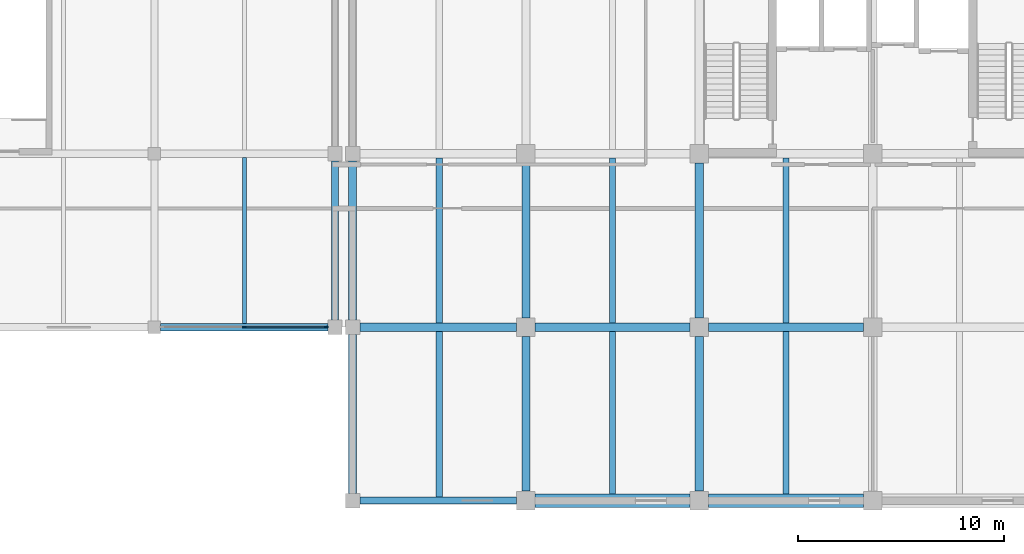
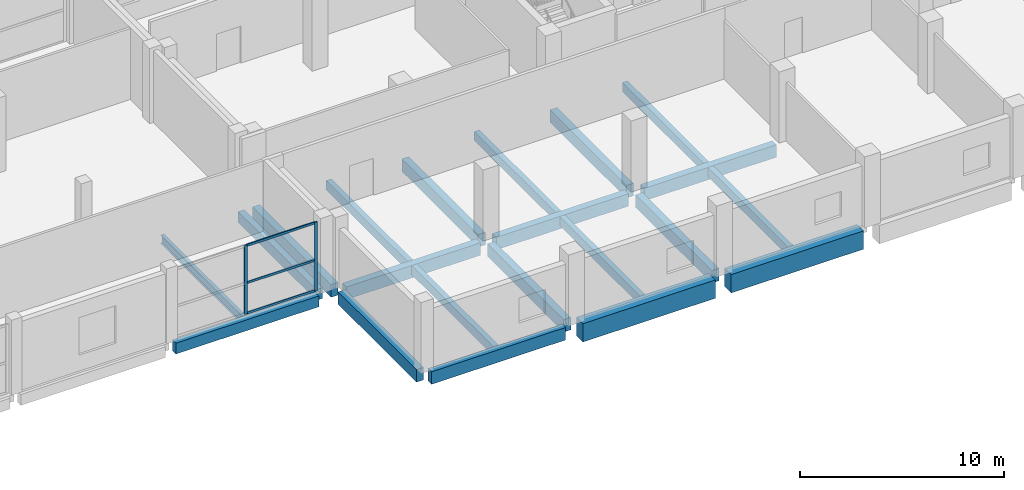
# One storey, part 9 of 18: 21 beams, 5 members, 1 element without a shape of its own.
"""IFC4 building model written with IfcOpenShell, lengths in metres."""

from ifc_helpers import new_model, si_unit, direction, frame, origin, origin_2d, place, context, subcontext, project, spatial, rectangle, i_section, extrude, material, material_profile, profile_set, type_object, element, aggregate, save


model = new_model("IFC4")

# Units and contexts
model_context = context("Model", 3, precision=1e-05, world=origin(), true_north=direction((0.0, 1.0)))
body_context = subcontext(model_context, "Body", "Model", "MODEL_VIEW")
ifc_project = project(units=[si_unit("LENGTHUNIT", "METRE"), si_unit("AREAUNIT", "SQUARE_METRE"), si_unit("VOLUMEUNIT", "CUBIC_METRE"), si_unit("PLANEANGLEUNIT", "RADIAN"), si_unit("MASSUNIT", "GRAM", prefix="KILO")], contexts=[model_context])

# Site, building, storey
site_placement = place(None, origin())
site = spatial("IfcSite", under=ifc_project, at=site_placement, CompositionType="ELEMENT")
building_placement = place(site_placement, origin())
building = spatial("IfcBuilding", under=site, at=building_placement, Name="Brinegate Botanical Conservatory", CompositionType="ELEMENT")
storey_placement = place(building_placement, frame((0.0, 0.0, 14.699951171875)))
storey = spatial("IfcBuildingStorey", under=building, at=storey_placement, Name="L04", CompositionType="ELEMENT", Elevation=14.699951171875)

# Beams
ifc_material_1 = material(Name="Concrete C50/60", Category="concrete")
ifc_material_profile_1 = material_profile(ifc_material_1, rectangle(XDim=0.39990234375, YDim=0.75, at=origin_2d()), Name="RC BM 400x750")
ifc_profile_set_1 = profile_set([ifc_material_profile_1], Name="Concrete C50/60")
beam_type_1 = type_object("IfcBeamType", Name="Beam_BM-T1", PredefinedType="BEAM", material=ifc_profile_set_1)
beam_1_placement = place(storey_placement, frame((122.35009765625, 86.800048828125, -0.614990234375), z_axis=(1.0, 0.0, 0.0), x_axis=(0.0, 1.0, 0.0)))
element("IfcBeam", 1, at=beam_1_placement, inside=storey, type_object=beam_type_1, Name="Beam BM-T1 L04 L:16-17", PredefinedType="BEAM", context=body_context, shape_type="SweptSolid", body=[
    extrude(rectangle(XDim=0.39990234375, YDim=0.75, at=origin_2d()), origin(), (0.0, 0.0, 1.0), 7.599853515625),
])
for number, where, z_axis, x_axis, name in (
    (2, (130.85009765625, 86.800048828125, -0.614990234375), (1.0, 0.0, 0.0), (0.0, 1.0, 0.0), "Beam BM-T1 L04 L:17-18"),
    (3, (139.25, 86.800048828125, -0.614990234375), (1.0, 0.0, 0.0), (0.0, 1.0, 0.0), "Beam BM-T1 L04 L:18-19"),
):
    element("IfcBeam", number, at=place(storey_placement, frame(where, z_axis=z_axis, x_axis=x_axis)), inside=storey, type_object=beam_type_1, Name=name, PredefinedType="BEAM", context=body_context, shape_type="SweptSolid", body=[
        extrude(rectangle(XDim=0.39990234375, YDim=0.75, at=origin_2d()), origin(), (0.0, 0.0, 1.0), 7.5),
    ])
beam_2_placement = place(storey_placement, frame((122.0, 78.75, -0.614990234375), z_axis=(0.0, 1.0, 0.0), x_axis=(-1.0, 0.0, 0.0)))
element("IfcBeam", 4, at=beam_2_placement, inside=storey, type_object=beam_type_1, Name="Beam BM-T1 L04 16:K-L", PredefinedType="BEAM", context=body_context, shape_type="SweptSolid", body=[
    extrude(rectangle(XDim=0.39990234375, YDim=0.75, at=origin_2d()), origin(), (0.0, 0.0, 1.0), 7.699951171875),
])
beam_3_placement = place(storey_placement, frame((122.0, 87.14990234375, -0.614990234375), z_axis=(0.0, 1.0, 0.0), x_axis=(-1.0, 0.0, 0.0)))
element("IfcBeam", 5, at=beam_3_placement, inside=storey, type_object=beam_type_1, Name="Beam BM-T1 L04 16:L-M", PredefinedType="BEAM", context=body_context, shape_type="SweptSolid", body=[
    extrude(rectangle(XDim=0.39990234375, YDim=0.75, at=origin_2d()), origin(), (0.0, 0.0, 1.0), 7.7001953125),
])
for number, where, z_axis, x_axis, name in (
    (6, (130.39990234375, 78.85009765625, -0.614990234375), (0.0, 1.0, 0.0), (-1.0, 0.0, 0.0), "Beam BM-T1 L04 17:K-L"),
    (7, (130.39990234375, 87.25, -0.614990234375), (0.0, 1.0, 0.0), (-1.0, 0.0, 0.0), "Beam BM-T1 L04 17:L-M"),
    (8, (138.800048828125, 78.85009765625, -0.614990234375), (0.0, 1.0, 0.0), (-1.0, 0.0, 0.0), "Beam BM-T1 L04 18:K-L"),
    (9, (138.800048828125, 87.25, -0.614990234375), (0.0, 1.0, 0.0), (-1.0, 0.0, 0.0), "Beam BM-T1 L04 18:L-M"),
):
    element("IfcBeam", number, at=place(storey_placement, frame(where, z_axis=z_axis, x_axis=x_axis)), inside=storey, type_object=beam_type_1, Name=name, PredefinedType="BEAM", context=body_context, shape_type="SweptSolid", body=[
        extrude(rectangle(XDim=0.39990234375, YDim=0.75, at=origin_2d()), origin(), (0.0, 0.0, 1.0), 7.5),
    ])
ifc_material_2 = material(Name="Concrete C40/50", Category="concrete")
ifc_material_profile_2 = material_profile(ifc_material_2, rectangle(XDim=0.35009765625, YDim=0.64990234375, at=origin_2d()), Name="RC BM 350x650")
ifc_profile_set_2 = profile_set([ifc_material_profile_2], Name="Concrete C40/50")
beam_type_2 = type_object("IfcBeamType", Name="Beam_BM-V3", PredefinedType="BEAM", material=ifc_profile_set_2)
beam_4_placement = place(storey_placement, frame((112.699951171875, 86.800048828125, -0.56494140625), z_axis=(1.0, 0.0, 0.0), x_axis=(0.0, 1.0, 0.0)))
element("IfcBeam", 10, at=beam_4_placement, inside=storey, type_object=beam_type_2, Name="Beam BM-V3 L04 L:14-15", PredefinedType="BEAM", context=body_context, shape_type="SweptSolid", body=[
    extrude(rectangle(XDim=0.35009765625, YDim=0.64990234375, at=origin_2d()), origin(), (0.0, 0.0, 1.0), 8.10009765625),
])
beam_5_placement = place(storey_placement, frame((121.14990234375, 87.14990234375, -0.56494140625), z_axis=(0.0, 1.0, 0.0), x_axis=(-1.0, 0.0, 0.0)))
element("IfcBeam", 11, at=beam_5_placement, inside=storey, type_object=beam_type_2, Name="Beam BM-V3 L04 15:L-M", PredefinedType="BEAM", context=body_context, shape_type="SweptSolid", body=[
    extrude(rectangle(XDim=0.35009765625, YDim=0.64990234375, at=origin_2d()), origin(), (0.0, 0.0, 1.0), 7.7001953125),
])
ifc_material_profile_3 = material_profile(ifc_material_2, rectangle(XDim=0.300048828125, YDim=0.550048828125, at=origin_2d()), Name="RC JST 300x550")
ifc_profile_set_3 = profile_set([ifc_material_profile_3], Name="Concrete C40/50")
beam_type_3 = type_object("IfcBeamType", Name="Beam_JS-C1", PredefinedType="JOIST", material=ifc_profile_set_3)
beam_6_placement = place(storey_placement, frame((126.199951171875, 78.574951171875, -0.514892578125), z_axis=(0.0, 1.0, 0.0), x_axis=(-1.0, 0.0, 0.0)))
element("IfcBeam", 12, at=beam_6_placement, inside=storey, type_object=beam_type_3, Name="Floor joist JS-C1 L04 bay 16.10", PredefinedType="JOIST", context=body_context, shape_type="SweptSolid", body=[
    extrude(rectangle(XDim=0.300048828125, YDim=0.550048828125, at=origin_2d()), origin(), (0.0, 0.0, 1.0), 8.025146484375),
])
beam_7_placement = place(storey_placement, frame((126.199951171875, 87.0, -0.514892578125), z_axis=(0.0, 1.0, 0.0), x_axis=(-1.0, 0.0, 0.0)))
element("IfcBeam", 13, at=beam_7_placement, inside=storey, type_object=beam_type_3, Name="Floor joist JS-C1 L04 bay 16.11", PredefinedType="JOIST", context=body_context, shape_type="SweptSolid", body=[
    extrude(rectangle(XDim=0.300048828125, YDim=0.550048828125, at=origin_2d()), origin(), (0.0, 0.0, 1.0), 8.0),
])
beam_8_placement = place(storey_placement, frame((134.60009765625, 78.72509765625, -0.514892578125), z_axis=(0.0, 1.0, 0.0), x_axis=(-1.0, 0.0, 0.0)))
element("IfcBeam", 14, at=beam_8_placement, inside=storey, type_object=beam_type_3, Name="Floor joist JS-C1 L04 bay 17.10", PredefinedType="JOIST", context=body_context, shape_type="SweptSolid", body=[
    extrude(rectangle(XDim=0.300048828125, YDim=0.550048828125, at=origin_2d()), origin(), (0.0, 0.0, 1.0), 7.875),
])
beam_9_placement = place(storey_placement, frame((134.60009765625, 87.0, -0.514892578125), z_axis=(0.0, 1.0, 0.0), x_axis=(-1.0, 0.0, 0.0)))
element("IfcBeam", 15, at=beam_9_placement, inside=storey, type_object=beam_type_3, Name="Floor joist JS-C1 L04 bay 17.11", PredefinedType="JOIST", context=body_context, shape_type="SweptSolid", body=[
    extrude(rectangle(XDim=0.300048828125, YDim=0.550048828125, at=origin_2d()), origin(), (0.0, 0.0, 1.0), 8.0),
])
beam_10_placement = place(storey_placement, frame((143.0, 78.72509765625, -0.514892578125), z_axis=(0.0, 1.0, 0.0), x_axis=(-1.0, 0.0, 0.0)))
element("IfcBeam", 16, at=beam_10_placement, inside=storey, type_object=beam_type_3, Name="Floor joist JS-C1 L04 bay 18.10", PredefinedType="JOIST", context=body_context, shape_type="SweptSolid", body=[
    extrude(rectangle(XDim=0.300048828125, YDim=0.550048828125, at=origin_2d()), origin(), (0.0, 0.0, 1.0), 7.875),
])
beam_11_placement = place(storey_placement, frame((143.0, 87.0, -0.514892578125), z_axis=(0.0, 1.0, 0.0), x_axis=(-1.0, 0.0, 0.0)))
element("IfcBeam", 17, at=beam_11_placement, inside=storey, type_object=beam_type_3, Name="Floor joist JS-C1 L04 bay 18.11", PredefinedType="JOIST", context=body_context, shape_type="SweptSolid", body=[
    extrude(rectangle(XDim=0.300048828125, YDim=0.550048828125, at=origin_2d()), origin(), (0.0, 0.0, 1.0), 8.0),
])
ifc_material_3 = material(Name="Structural steel Q355B / S355", Category="steel")
ifc_material_profile_4 = material_profile(ifc_material_3, i_section(OverallWidth=0.199951171875, OverallDepth=0.5, WebThickness=0.010009765625, FlangeThickness=0.01611328125, at=origin_2d()), Name="HN 500x200x10x16")
ifc_profile_set_4 = profile_set([ifc_material_profile_4], Name="Structural steel Q355B / S355")
beam_type_4 = type_object("IfcBeamType", Name="Beam_JS-S4", PredefinedType="JOIST", material=ifc_profile_set_4)
beam_12_placement = place(storey_placement, frame((116.77490234375, 86.97509765625, -0.489990234375), z_axis=(0.0, 1.0, 0.0), x_axis=(-1.0, 0.0, 0.0)))
element("IfcBeam", 18, at=beam_12_placement, inside=storey, type_object=beam_type_4, Name="Floor joist JS-S4 L04 bay 14.11", PredefinedType="JOIST", context=body_context, shape_type="SweptSolid", body=[
    extrude(i_section(OverallWidth=0.199951171875, OverallDepth=0.5, WebThickness=0.010009765625, FlangeThickness=0.01611328125, at=origin_2d()), origin(), (0.0, 0.0, 1.0), 8.0498046875),
])
ifc_material_profile_5 = material_profile(ifc_material_2, rectangle(XDim=0.35009765625, YDim=0.75, at=origin_2d()), Name="RC SPN 350x750")
ifc_profile_set_5 = profile_set([ifc_material_profile_5], Name="Concrete C40/50")
beam_type_5 = type_object("IfcBeamType", Name="Beam_SP-01", PredefinedType="SPANDREL", material=ifc_profile_set_5)
beam_13_placement = place(storey_placement, frame((122.35009765625, 78.39990234375, -0.614990234375), z_axis=(1.0, 0.0, 0.0), x_axis=(0.0, 1.0, 0.0)))
element("IfcBeam", 19, at=beam_13_placement, inside=storey, type_object=beam_type_5, Name="Beam SP-01 L04 K:16-17", PredefinedType="SPANDREL", context=body_context, shape_type="SweptSolid", body=[
    extrude(rectangle(XDim=0.35009765625, YDim=0.75, at=origin_2d()), origin(), (0.0, 0.0, 1.0), 7.599853515625),
])
ifc_material_profile_6 = material_profile(ifc_material_1, rectangle(XDim=0.64990234375, YDim=1.10009765625, at=origin_2d()), Name="RC TG 650x1100")
ifc_profile_set_6 = profile_set([ifc_material_profile_6], Name="Concrete C50/60")
beam_type_6 = type_object("IfcBeamType", Name="Beam_TG-02", PredefinedType="BEAM", material=ifc_profile_set_6)
for number, where, z_axis, x_axis, name in (
    (20, (130.85009765625, 78.39990234375, -0.7900390625), (1.0, 0.0, 0.0), (0.0, 1.0, 0.0), "Transfer girder TG-02 L04 K:17-18"),
    (21, (139.25, 78.39990234375, -0.7900390625), (1.0, 0.0, 0.0), (0.0, 1.0, 0.0), "Transfer girder TG-02 L04 K:18-19"),
):
    element("IfcBeam", number, at=place(storey_placement, frame(where, z_axis=z_axis, x_axis=x_axis)), inside=storey, type_object=beam_type_6, Name=name, PredefinedType="BEAM", context=body_context, shape_type="SweptSolid", body=[
        extrude(rectangle(XDim=0.64990234375, YDim=1.10009765625, at=origin_2d()), origin(), (0.0, 0.0, 1.0), 7.5),
    ])

# Curtain wall, members
ifc_material_4 = material(Name="Thermally broken anodised aluminium AW-6063-T6", Category="aluminium")
curtain_wall_type = type_object("IfcCurtainWallType", Name="CW_CW-V3", PredefinedType="USERDEFINED", material=ifc_material_4)
curtain_wall_placement = place(storey_placement, origin())
curtain_wall = element("IfcCurtainWall", 22, at=curtain_wall_placement, inside=storey, type_object=curtain_wall_type, Name="Visitor south court curtain wall L04.8", ObjectType="FACTORY CURTAIN WALL", PredefinedType="USERDEFINED")
ifc_material_profile_7 = material_profile(ifc_material_4, rectangle(XDim=0.06494140625, YDim=0.179931640625, at=origin_2d()), Name="ALUM MULLION 65x180")
ifc_profile_set_7 = profile_set([ifc_material_profile_7], Name="Thermally broken anodised aluminium AW-6063-T6")
member_type_1 = type_object("IfcMemberType", Name="Member_ML-02", PredefinedType="MULLION", material=ifc_profile_set_7)
member_1_placement = place(storey_placement, frame((120.7275390625, 86.800048828125, 0.0), z_axis=(0.0, 0.0, 1.0), x_axis=(0.0, -1.0, 0.0)))
member_1 = element("IfcMember", 23, at=member_1_placement, type_object=member_type_1, Name="CW-V3 mullion 1", PredefinedType="MULLION", context=body_context, shape_type="SweptSolid", body=[
    extrude(rectangle(XDim=0.06494140625, YDim=0.179931640625, at=origin_2d()), origin(), (0.0, 0.0, 1.0), 4.125),
])
member_2_placement = place(storey_placement, frame((116.75, 86.800048828125, 0.0), z_axis=(0.0, 0.0, 1.0), x_axis=(0.0, -1.0, 0.0)))
member_2 = element("IfcMember", 24, at=member_2_placement, type_object=member_type_1, Name="CW-V3 mullion 2", PredefinedType="MULLION", context=body_context, shape_type="SweptSolid", body=[
    extrude(rectangle(XDim=0.06494140625, YDim=0.179931640625, at=origin_2d()), origin(), (0.0, 0.0, 1.0), 4.125),
])
ifc_material_profile_8 = material_profile(ifc_material_4, rectangle(XDim=0.06494140625, YDim=0.135009765625, at=origin_2d()), Name="ALUM TRANSOM 65x135")
ifc_profile_set_8 = profile_set([ifc_material_profile_8], Name="Thermally broken anodised aluminium AW-6063-T6")
member_type_2 = type_object("IfcMemberType", Name="Member_TR-02", PredefinedType="USERDEFINED", material=ifc_profile_set_8)
member_3_placement = place(storey_placement, frame((120.695068359375, 86.800048828125, 0.032470703125), z_axis=(-1.0, 0.0, 0.0), x_axis=(0.0, -1.0, 0.0)))
member_3 = element("IfcMember", 25, at=member_3_placement, type_object=member_type_2, Name="CW-V3 transom 1.1", ObjectType="TRANSOM", PredefinedType="USERDEFINED", context=body_context, shape_type="SweptSolid", body=[
    extrude(rectangle(XDim=0.06494140625, YDim=0.135009765625, at=origin_2d()), origin(), (0.0, 0.0, 1.0), 3.91259765625),
])
member_4_placement = place(storey_placement, frame((120.695068359375, 86.800048828125, 1.85595703125), z_axis=(-1.0, 0.0, 0.0), x_axis=(0.0, -1.0, 0.0)))
member_4 = element("IfcMember", 26, at=member_4_placement, type_object=member_type_2, Name="CW-V3 transom 1.2", ObjectType="TRANSOM", PredefinedType="USERDEFINED", context=body_context, shape_type="SweptSolid", body=[
    extrude(rectangle(XDim=0.06494140625, YDim=0.135009765625, at=origin_2d()), origin(), (0.0, 0.0, 1.0), 3.91259765625),
])
member_5_placement = place(storey_placement, frame((120.695068359375, 86.800048828125, 4.092529296875), z_axis=(-1.0, 0.0, 0.0), x_axis=(0.0, -1.0, 0.0)))
member_5 = element("IfcMember", 27, at=member_5_placement, type_object=member_type_2, Name="CW-V3 transom 1.3", ObjectType="TRANSOM", PredefinedType="USERDEFINED", context=body_context, shape_type="SweptSolid", body=[
    extrude(rectangle(XDim=0.06494140625, YDim=0.135009765625, at=origin_2d()), origin(), (0.0, 0.0, 1.0), 3.91259765625),
])
aggregate(curtain_wall, [member_1, member_2, member_3, member_4, member_5])

save(model, "model.ifc")
